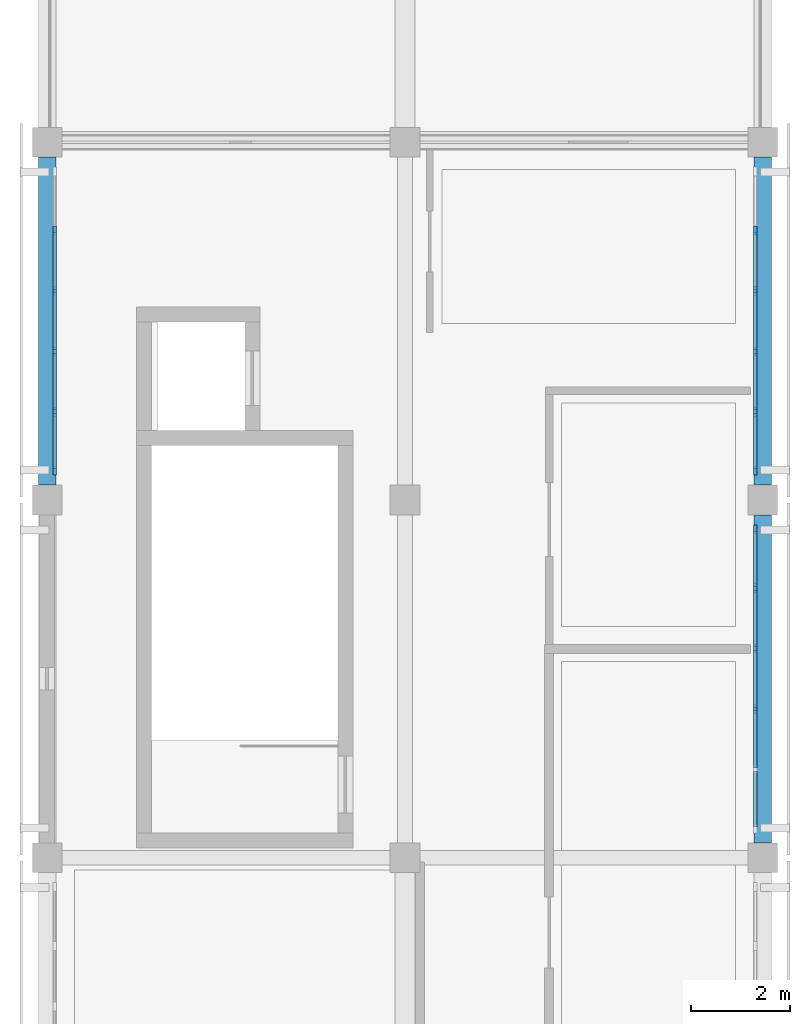
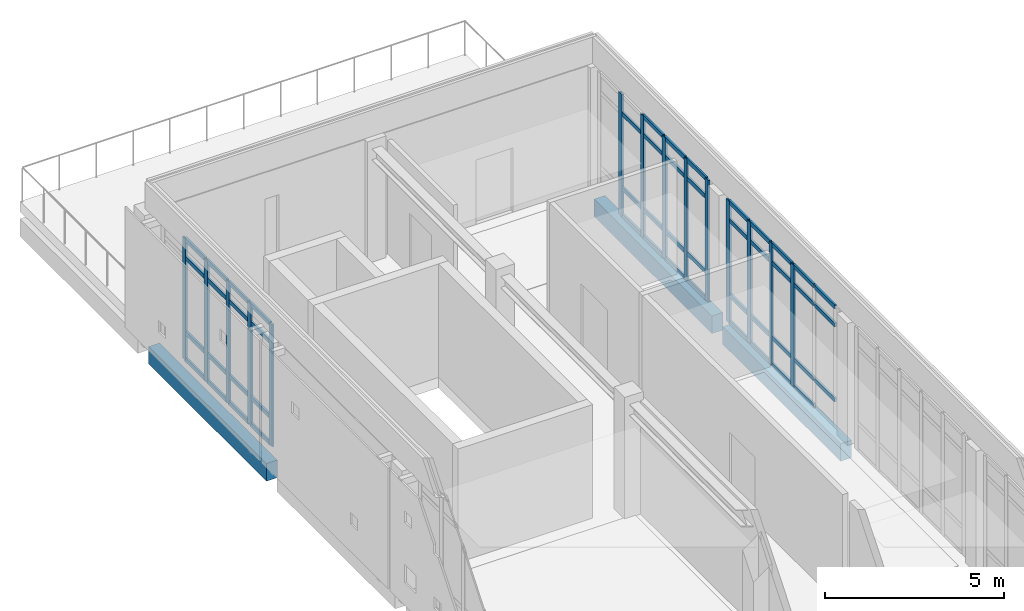
# One storey, part 8 of 19: 64 members, 3 beams, 3 elements without a shape of their own.
"""IFC4 building model written with IfcOpenShell, lengths in metres."""

import ifcopenshell
import ifcopenshell.guid

model = None  # the IFC model being written
_history = None  # IfcOwnerHistory: only IFC2X3 demands one
_inside = {}  # id of a spatial element -> (the spatial element, [elements in it])
_under = {}  # id of a project, library or spatial element -> (it, [spatial elements below it])
_declared = {}  # id of a project -> (the project, [libraries it declares])
_typed = {}  # id of a type object -> (the type object, [elements of that type])
_made_of = {}  # id of a material, layer set ... -> (it, [elements and type objects made of it])


def new_model(schema):
    """Start an empty IFC model of exactly this schema.

    Asked for "IFC4X3", IfcOpenShell would pick the latest addendum, in which some entities
    have other attributes; the version numbers below select the first issue.
    IFC2X3 requires an IfcOwnerHistory on every rooted entity: one is made here for all.
    """
    global model, _history
    if schema == "IFC4X3":
        model = ifcopenshell.file(schema_version=(4, 3, 0, 0))
    else:
        model = ifcopenshell.file(schema=schema)
    _inside.clear()
    _under.clear()
    _declared.clear()
    _typed.clear()
    _made_of.clear()
    _history = None
    if model.schema == "IFC2X3":
        org = make("IfcOrganization", Name="unknown")
        user = make(
            "IfcPersonAndOrganization",
            ThePerson=make("IfcPerson", FamilyName="unknown"),
            TheOrganization=org,
        )
        app = make(
            "IfcApplication",
            ApplicationDeveloper=org,
            Version="unknown",
            ApplicationFullName="unknown",
            ApplicationIdentifier="unknown",
        )
        _history = make(
            "IfcOwnerHistory",
            OwningUser=user,
            OwningApplication=app,
            ChangeAction="ADDED",
            CreationDate=0,
        )
    return model


def make(cls, **values):
    """One entity of the class cls with the attributes given. An attribute that is None is left unset."""
    return model.create_entity(
        cls, **{name: value for name, value in values.items() if value is not None}
    )


def rooted(cls, **values):
    """An entity with a GlobalId (a new one), such as an element, a storey or a relation."""
    return make(cls, GlobalId=ifcopenshell.guid.new(), OwnerHistory=_history, **values)


def si_unit(unit_type, name, prefix=None):
    """IfcSIUnit, for example si_unit("LENGTHUNIT", "METRE", prefix="MILLI")."""
    return make("IfcSIUnit", UnitType=unit_type, Prefix=prefix, Name=name)


def assignment(units):
    """IfcUnitAssignment: the units of a project."""
    return None if units is None else make("IfcUnitAssignment", Units=units)


def point(xyz):
    """IfcCartesianPoint."""
    return None if xyz is None else make("IfcCartesianPoint", Coordinates=xyz)


def direction(xyz):
    """IfcDirection."""
    return None if xyz is None else make("IfcDirection", DirectionRatios=xyz)


def frame(location, z_axis=None, x_axis=None):
    """IfcAxis2Placement3D, a coordinate frame: its origin and axes. An axis left out is left unset."""
    return make(
        "IfcAxis2Placement3D",
        Location=point(location),
        Axis=direction(z_axis),
        RefDirection=direction(x_axis),
    )


def frame_2d(location, x_axis=None):
    """IfcAxis2Placement2D, a coordinate frame in the plane: its origin and x axis."""
    return make(
        "IfcAxis2Placement2D", Location=point(location), RefDirection=direction(x_axis)
    )


def origin():
    """The frame at (0, 0, 0) with its axes left unset."""
    return frame((0.0, 0.0, 0.0))


def origin_2d():
    """The frame at (0, 0) in the plane with its x axis left unset."""
    return frame_2d((0.0, 0.0))


def place(relative_to, where):
    """IfcLocalPlacement: puts the frame where relative to a parent placement (None: the world)."""
    return make(
        "IfcLocalPlacement", PlacementRelTo=relative_to, RelativePlacement=where
    )


def context(
    kind, dimensions, precision=None, world=None, true_north=None, identifier=None
):
    """IfcGeometricRepresentationContext, for example the 3D "Model" context."""
    return make(
        "IfcGeometricRepresentationContext",
        ContextIdentifier=identifier,
        ContextType=kind,
        CoordinateSpaceDimension=dimensions,
        Precision=precision,
        WorldCoordinateSystem=world,
        TrueNorth=true_north,
    )


def subcontext(parent, identifier, kind, view, scale=None):
    """IfcGeometricRepresentationSubContext, for example "Body" below "Model"."""
    return make(
        "IfcGeometricRepresentationSubContext",
        ContextIdentifier=identifier,
        ContextType=kind,
        ParentContext=parent,
        TargetScale=scale,
        TargetView=view,
    )


def project(units=None, contexts=None):
    """IfcProject with its units and contexts."""
    return rooted(
        "IfcProject",
        Name="project",
        RepresentationContexts=contexts,
        UnitsInContext=assignment(units),
    )


def spatial(cls, under=None, at=None, **own):
    """A site, building, storey or space (cls), placed at a placement, below another one or the project."""
    s = rooted(cls, ObjectPlacement=at, **own)
    if under is not None:
        _under.setdefault(under.id(), (under, []))[1].append(s)
    return s


def profile(cls, at=None, kind="AREA", **sizes):
    """A parametric profile (cls). Its sizes go by their IFC names, for example OverallWidth=200.0."""
    return make(cls, ProfileType=kind, Position=at, **sizes)


def rectangle(**sizes):
    """IfcRectangleProfileDef."""
    return profile("IfcRectangleProfileDef", **sizes)


def extrude(swept, where, along, depth):
    """IfcExtrudedAreaSolid: the profile swept, set in the frame where, extruded along a direction by depth."""
    return make(
        "IfcExtrudedAreaSolid",
        SweptArea=swept,
        Position=where,
        ExtrudedDirection=direction(along),
        Depth=depth,
    )


def shape(context_of_items, identifier, shape_type, items):
    """IfcShapeRepresentation: the items that make up one representation, for example the "Body"."""
    return make(
        "IfcShapeRepresentation",
        ContextOfItems=context_of_items,
        RepresentationIdentifier=identifier,
        RepresentationType=shape_type,
        Items=items,
    )


def material(Name=None, Category=None):
    """IfcMaterial."""
    return make("IfcMaterial", Name=Name, Category=Category)


def layer(
    of_material, thickness, ventilated=None, Name=None, Category=None, Priority=None
):
    """IfcMaterialLayer: one layer of a wall or slab, of a material (None: an air gap)."""
    return make(
        "IfcMaterialLayer",
        Material=of_material,
        LayerThickness=thickness,
        IsVentilated=ventilated,
        Name=Name,
        Category=Category,
        Priority=Priority,
    )


def layer_set(layers, Name=None):
    """IfcMaterialLayerSet."""
    return make("IfcMaterialLayerSet", MaterialLayers=layers, LayerSetName=Name)


def material_profile(
    of_material, cross_section, Name=None, Category=None, Priority=None
):
    """IfcMaterialProfile: a cross section and its material."""
    return make(
        "IfcMaterialProfile",
        Name=Name,
        Material=of_material,
        Profile=cross_section,
        Priority=Priority,
        Category=Category,
    )


def profile_set(profiles, Name=None, composite=None):
    """IfcMaterialProfileSet."""
    return make(
        "IfcMaterialProfileSet",
        Name=Name,
        MaterialProfiles=profiles,
        CompositeProfile=composite,
    )


def made_of(thing, what):
    """Note that an element or type object is made of a material, layer set ...; save() writes the relation."""
    if what is not None:
        _made_of.setdefault(what.id(), (what, []))[1].append(thing)
    return thing


def type_object(cls, material=None, **own):
    """A type object (cls), such as IfcWallType, which elements share."""
    return made_of(rooted(cls, **own), material)


def element(
    cls,
    number,
    at=None,
    inside=None,
    cuts=None,
    type_object=None,
    material=None,
    context=None,
    identifier="Body",
    shape_type=None,
    held_by="IfcProductDefinitionShape",
    body=None,
    shapes=None,
    **own,
):
    """One element of the class cls, such as IfcWall. Its Tag is "e" and its number.

    at: its placement. inside: the storey or other place that contains it. cuts: it is an
    opening in that element (IfcRelVoidsElement). A single representation is given by context,
    identifier, shape_type and body (its items); several are given by shapes. held_by: the class
    of the entity that holds the representations. save() writes the other relations.
    """
    e = rooted(cls, Tag="e%d" % number, ObjectPlacement=at, **own)
    if body is not None:
        shapes = [shape(context, identifier, shape_type, body)]
    if shapes is not None:
        e.Representation = make(held_by, Representations=shapes)
    if inside is not None:
        _inside.setdefault(inside.id(), (inside, []))[1].append(e)
    if cuts is not None:
        rooted(
            "IfcRelVoidsElement", RelatingBuildingElement=cuts, RelatedOpeningElement=e
        )
    if type_object is not None:
        _typed.setdefault(type_object.id(), (type_object, []))[1].append(e)
    return made_of(e, material)


def aggregate(whole, parts):
    """IfcRelAggregates: a whole, such as a stair, and the parts it consists of."""
    return rooted("IfcRelAggregates", RelatingObject=whole, RelatedObjects=parts)


def save(model, path):
    """Write the relations noted so far, then the file.

    IfcRelAggregates (storeys below a building ...), IfcRelContainedInSpatialStructure (elements
    in a storey), IfcRelDefinesByType, IfcRelAssociatesMaterial and IfcRelDeclares: one each for
    every whole, place, type object, material and project.
    """
    for whole, parts in _under.values():
        aggregate(whole, parts)
    for where, things in _inside.values():
        rooted(
            "IfcRelContainedInSpatialStructure",
            RelatedElements=things,
            RelatingStructure=where,
        )
    for kind, things in _typed.values():
        rooted("IfcRelDefinesByType", RelatedObjects=things, RelatingType=kind)
    for what, things in _made_of.values():
        rooted("IfcRelAssociatesMaterial", RelatedObjects=things, RelatingMaterial=what)
    for by, libraries in _declared.values():
        rooted("IfcRelDeclares", RelatingContext=by, RelatedDefinitions=libraries)
    model.write(path)


model = new_model("IFC4")

# Units and contexts
model_context = context("Model", 3, precision=1e-05, world=origin(), true_north=direction((0.0, 1.0)))
body_context = subcontext(model_context, "Body", "Model", "MODEL_VIEW")
ifc_project = project(units=[si_unit("LENGTHUNIT", "METRE"), si_unit("AREAUNIT", "SQUARE_METRE"), si_unit("VOLUMEUNIT", "CUBIC_METRE"), si_unit("PLANEANGLEUNIT", "RADIAN"), si_unit("MASSUNIT", "GRAM", prefix="KILO")], contexts=[model_context])

# Site, building, storey
site_placement = place(None, origin())
site = spatial("IfcSite", under=ifc_project, at=site_placement, CompositionType="ELEMENT")
building_placement = place(site_placement, origin())
building = spatial("IfcBuilding", under=site, at=building_placement, Name="Valkovuoma Quantum and Materials Research Institute", CompositionType="ELEMENT")
storey_placement = place(building_placement, frame((0.0, 0.0, 38.080078125)))
storey = spatial("IfcBuildingStorey", under=building, at=storey_placement, Name="L09", CompositionType="ELEMENT", Elevation=38.080078125)

# Beams
ifc_material_1 = material(Name="Concrete C40/50", Category="concrete")
ifc_material_profile_1 = material_profile(ifc_material_1, rectangle(XDim=0.35009765625, YDim=0.60009765625, at=origin_2d()), Name="Concrete C40/50")
ifc_profile_set_1 = profile_set([ifc_material_profile_1], Name="Concrete C40/50")
beam_type = type_object("IfcBeamType", Name="Beam-B-SPN600", PredefinedType="SPANDREL", material=ifc_profile_set_1)
beam_1_placement = place(storey_placement, frame((0.0, 79.5, -0.650146484375), z_axis=(0.0, 1.0, 0.0), x_axis=(-1.0, 0.0, 0.0)))
element("IfcBeam", 1, at=beam_1_placement, inside=storey, type_object=beam_type, Name="L09 beam Y-2591", PredefinedType="SPANDREL", context=body_context, shape_type="SweptSolid", body=[
    extrude(rectangle(XDim=0.35009765625, YDim=0.60009765625, at=origin_2d()), origin(), (0.0, 0.0, 1.0), 6.60009765625),
])
beam_2_placement = place(storey_placement, frame((14.39990234375, 72.300048828125, -0.650146484375), z_axis=(0.0, 1.0, 0.0), x_axis=(-1.0, 0.0, 0.0)))
element("IfcBeam", 2, at=beam_2_placement, inside=storey, type_object=beam_type, Name="L09 beam Y-2598", PredefinedType="SPANDREL", context=body_context, shape_type="SweptSolid", body=[
    extrude(rectangle(XDim=0.35009765625, YDim=0.60009765625, at=origin_2d()), origin(), (0.0, 0.0, 1.0), 6.599853515625),
])
beam_3_placement = place(storey_placement, frame((14.39990234375, 79.5, -0.650146484375), z_axis=(0.0, 1.0, 0.0), x_axis=(-1.0, 0.0, 0.0)))
element("IfcBeam", 3, at=beam_3_placement, inside=storey, type_object=beam_type, Name="L09 beam Y-2599", PredefinedType="SPANDREL", context=body_context, shape_type="SweptSolid", body=[
    extrude(rectangle(XDim=0.35009765625, YDim=0.60009765625, at=origin_2d()), origin(), (0.0, 0.0, 1.0), 6.60009765625),
])

# Curtain wall, members
ifc_material_2 = material(Name="Thermally broken aluminium and triple low-E glazing", Category="aluminium")
ifc_layer = layer(ifc_material_2, 0.219970703125)
ifc_layer_set = layer_set([ifc_layer], Name="Thermally broken aluminium and triple low-E glazing")
curtain_wall_type = type_object("IfcCurtainWallType", Name="CW-CW-01", PredefinedType="NOTDEFINED", material=ifc_layer_set)
curtain_wall_1_placement = place(storey_placement, origin())
curtain_wall_1 = element("IfcCurtainWall", 4, at=curtain_wall_1_placement, inside=storey, type_object=curtain_wall_type, Name="L09 curtain wall 140", PredefinedType="NOTDEFINED")
ifc_material_3 = material(Name="Anodised aluminium 6060-T66", Category="aluminium")
ifc_material_profile_2 = material_profile(ifc_material_3, rectangle(XDim=0.06494140625, YDim=0.179931640625, at=origin_2d()), Name="Anodised aluminium 6060-T66")
ifc_profile_set_2 = profile_set([ifc_material_profile_2], Name="Anodised aluminium 6060-T66")
member_type_1 = type_object("IfcMemberType", Name="CWMull-CWM-01", PredefinedType="MULLION", material=ifc_profile_set_2)
member_1_placement = place(storey_placement, frame((14.25, 74.991455078125, 0.0), z_axis=(0.0, 0.0, 1.0), x_axis=(-1.0, 0.0, 0.0)))
member_1 = element("IfcMember", 5, at=member_1_placement, type_object=member_type_1, Name="CW-01 mullion 3", PredefinedType="MULLION", context=body_context, shape_type="SweptSolid", body=[
    extrude(rectangle(XDim=0.06494140625, YDim=0.179931640625, at=origin_2d()), origin(), (0.0, 0.0, 1.0), 4.159912109375),
])
member_2_placement = place(storey_placement, frame((14.25, 76.20849609375, 0.0), z_axis=(0.0, 0.0, 1.0), x_axis=(-1.0, 0.0, 0.0)))
member_2 = element("IfcMember", 6, at=member_2_placement, type_object=member_type_1, Name="CW-01 mullion 4", PredefinedType="MULLION", context=body_context, shape_type="SweptSolid", body=[
    extrude(rectangle(XDim=0.06494140625, YDim=0.179931640625, at=origin_2d()), origin(), (0.0, 0.0, 1.0), 4.159912109375),
])
member_3_placement = place(storey_placement, frame((14.25, 77.42578125, 0.0), z_axis=(0.0, 0.0, 1.0), x_axis=(-1.0, 0.0, 0.0)))
member_3 = element("IfcMember", 7, at=member_3_placement, type_object=member_type_1, Name="CW-01 mullion 5", PredefinedType="MULLION", context=body_context, shape_type="SweptSolid", body=[
    extrude(rectangle(XDim=0.06494140625, YDim=0.179931640625, at=origin_2d()), origin(), (0.0, 0.0, 1.0), 4.159912109375),
])
member_4_placement = place(storey_placement, frame((14.25, 78.6103515625, 0.0), z_axis=(0.0, 0.0, 1.0), x_axis=(-1.0, 0.0, 0.0)))
member_4 = element("IfcMember", 8, at=member_4_placement, type_object=member_type_1, Name="CW-01 mullion 6", PredefinedType="MULLION", context=body_context, shape_type="SweptSolid", body=[
    extrude(rectangle(XDim=0.06494140625, YDim=0.179931640625, at=origin_2d()), origin(), (0.0, 0.0, 1.0), 4.159912109375),
])

curtain_wall_2_placement = place(storey_placement, origin())
curtain_wall_2 = element("IfcCurtainWall", 9, at=curtain_wall_2_placement, inside=storey, type_object=curtain_wall_type, Name="L09 curtain wall 141", PredefinedType="NOTDEFINED")
member_5_placement = place(storey_placement, frame((0.14990234375, 79.78955078125, 0.0), z_axis=(0.0, 0.0, 1.0), x_axis=(-1.0, 0.0, 0.0)))
member_5 = element("IfcMember", 10, at=member_5_placement, type_object=member_type_1, Name="CW-01 mullion 1", PredefinedType="MULLION", context=body_context, shape_type="SweptSolid", body=[
    extrude(rectangle(XDim=0.06494140625, YDim=0.179931640625, at=origin_2d()), origin(), (0.0, 0.0, 1.0), 4.159912109375),
])
member_6_placement = place(storey_placement, frame((0.14990234375, 80.974365234375, 0.0), z_axis=(0.0, 0.0, 1.0), x_axis=(-1.0, 0.0, 0.0)))
member_6 = element("IfcMember", 11, at=member_6_placement, type_object=member_type_1, Name="CW-01 mullion 2", PredefinedType="MULLION", context=body_context, shape_type="SweptSolid", body=[
    extrude(rectangle(XDim=0.06494140625, YDim=0.179931640625, at=origin_2d()), origin(), (0.0, 0.0, 1.0), 4.159912109375),
])
member_7_placement = place(storey_placement, frame((0.14990234375, 82.19140625, 0.0), z_axis=(0.0, 0.0, 1.0), x_axis=(-1.0, 0.0, 0.0)))
member_7 = element("IfcMember", 12, at=member_7_placement, type_object=member_type_1, Name="CW-01 mullion 3", PredefinedType="MULLION", context=body_context, shape_type="SweptSolid", body=[
    extrude(rectangle(XDim=0.06494140625, YDim=0.179931640625, at=origin_2d()), origin(), (0.0, 0.0, 1.0), 4.159912109375),
])
member_8_placement = place(storey_placement, frame((0.14990234375, 83.40869140625, 0.0), z_axis=(0.0, 0.0, 1.0), x_axis=(-1.0, 0.0, 0.0)))
member_8 = element("IfcMember", 13, at=member_8_placement, type_object=member_type_1, Name="CW-01 mullion 4", PredefinedType="MULLION", context=body_context, shape_type="SweptSolid", body=[
    extrude(rectangle(XDim=0.06494140625, YDim=0.179931640625, at=origin_2d()), origin(), (0.0, 0.0, 1.0), 4.159912109375),
])
member_9_placement = place(storey_placement, frame((0.14990234375, 84.625732421875, 0.0), z_axis=(0.0, 0.0, 1.0), x_axis=(-1.0, 0.0, 0.0)))
member_9 = element("IfcMember", 14, at=member_9_placement, type_object=member_type_1, Name="CW-01 mullion 5", PredefinedType="MULLION", context=body_context, shape_type="SweptSolid", body=[
    extrude(rectangle(XDim=0.06494140625, YDim=0.179931640625, at=origin_2d()), origin(), (0.0, 0.0, 1.0), 4.159912109375),
])

curtain_wall_3_placement = place(storey_placement, origin())
curtain_wall_3 = element("IfcCurtainWall", 15, at=curtain_wall_3_placement, inside=storey, type_object=curtain_wall_type, Name="L09 curtain wall 142", PredefinedType="NOTDEFINED")
member_10_placement = place(storey_placement, frame((14.25, 79.78955078125, 0.0), z_axis=(0.0, 0.0, 1.0), x_axis=(-1.0, 0.0, 0.0)))
member_10 = element("IfcMember", 16, at=member_10_placement, type_object=member_type_1, Name="CW-01 mullion 1", PredefinedType="MULLION", context=body_context, shape_type="SweptSolid", body=[
    extrude(rectangle(XDim=0.06494140625, YDim=0.179931640625, at=origin_2d()), origin(), (0.0, 0.0, 1.0), 4.159912109375),
])
member_11_placement = place(storey_placement, frame((14.25, 80.974365234375, 0.0), z_axis=(0.0, 0.0, 1.0), x_axis=(-1.0, 0.0, 0.0)))
member_11 = element("IfcMember", 17, at=member_11_placement, type_object=member_type_1, Name="CW-01 mullion 2", PredefinedType="MULLION", context=body_context, shape_type="SweptSolid", body=[
    extrude(rectangle(XDim=0.06494140625, YDim=0.179931640625, at=origin_2d()), origin(), (0.0, 0.0, 1.0), 4.159912109375),
])
member_12_placement = place(storey_placement, frame((14.25, 82.19140625, 0.0), z_axis=(0.0, 0.0, 1.0), x_axis=(-1.0, 0.0, 0.0)))
member_12 = element("IfcMember", 18, at=member_12_placement, type_object=member_type_1, Name="CW-01 mullion 3", PredefinedType="MULLION", context=body_context, shape_type="SweptSolid", body=[
    extrude(rectangle(XDim=0.06494140625, YDim=0.179931640625, at=origin_2d()), origin(), (0.0, 0.0, 1.0), 4.159912109375),
])
member_13_placement = place(storey_placement, frame((14.25, 83.40869140625, 0.0), z_axis=(0.0, 0.0, 1.0), x_axis=(-1.0, 0.0, 0.0)))
member_13 = element("IfcMember", 19, at=member_13_placement, type_object=member_type_1, Name="CW-01 mullion 4", PredefinedType="MULLION", context=body_context, shape_type="SweptSolid", body=[
    extrude(rectangle(XDim=0.06494140625, YDim=0.179931640625, at=origin_2d()), origin(), (0.0, 0.0, 1.0), 4.159912109375),
])
member_14_placement = place(storey_placement, frame((14.25, 84.625732421875, 0.0), z_axis=(0.0, 0.0, 1.0), x_axis=(-1.0, 0.0, 0.0)))
member_14 = element("IfcMember", 20, at=member_14_placement, type_object=member_type_1, Name="CW-01 mullion 5", PredefinedType="MULLION", context=body_context, shape_type="SweptSolid", body=[
    extrude(rectangle(XDim=0.06494140625, YDim=0.179931640625, at=origin_2d()), origin(), (0.0, 0.0, 1.0), 4.159912109375),
])

# Member
ifc_material_4 = material(Name="Anodised aluminium 6060-T66", Category="aluminium")
ifc_material_profile_3 = material_profile(ifc_material_4, rectangle(XDim=0.06494140625, YDim=0.139892578125, at=origin_2d()), Name="Anodised aluminium 6060-T66")
ifc_profile_set_3 = profile_set([ifc_material_profile_3], Name="Anodised aluminium 6060-T66")
member_type_2 = type_object("IfcMemberType", Name="CWTran-CWT-01", PredefinedType="USERDEFINED", material=ifc_profile_set_3)
member_15_placement = place(storey_placement, frame((14.25, 72.6220703125, 0.949951171875), z_axis=(0.0, 1.0, 0.0), x_axis=(-1.0, 0.0, 0.0)))
member_15 = element("IfcMember", 21, at=member_15_placement, type_object=member_type_2, Name="CW-01 transom 1.2", ObjectType="TRANSOM", PredefinedType="USERDEFINED", context=body_context, shape_type="SweptSolid", body=[
    extrude(rectangle(XDim=0.06494140625, YDim=0.139892578125, at=origin_2d()), origin(), (0.0, 0.0, 1.0), 1.11962890625),
])

member_16_placement = place(storey_placement, frame((14.25, 72.6220703125, 3.510009765625), z_axis=(0.0, 1.0, 0.0), x_axis=(-1.0, 0.0, 0.0)))
member_16 = element("IfcMember", 22, at=member_16_placement, type_object=member_type_2, Name="CW-01 transom 1.3", ObjectType="TRANSOM", PredefinedType="USERDEFINED", context=body_context, shape_type="SweptSolid", body=[
    extrude(rectangle(XDim=0.06494140625, YDim=0.139892578125, at=origin_2d()), origin(), (0.0, 0.0, 1.0), 1.11962890625),
])

member_17_placement = place(storey_placement, frame((14.25, 72.6220703125, 4.12744140625), z_axis=(0.0, 1.0, 0.0), x_axis=(-1.0, 0.0, 0.0)))
member_17 = element("IfcMember", 23, at=member_17_placement, type_object=member_type_2, Name="CW-01 transom 1.4", ObjectType="TRANSOM", PredefinedType="USERDEFINED", context=body_context, shape_type="SweptSolid", body=[
    extrude(rectangle(XDim=0.06494140625, YDim=0.139892578125, at=origin_2d()), origin(), (0.0, 0.0, 1.0), 1.11962890625),
])

member_18_placement = place(storey_placement, frame((14.25, 73.806640625, 0.032470703125), z_axis=(0.0, 1.0, 0.0), x_axis=(-1.0, 0.0, 0.0)))
member_18 = element("IfcMember", 24, at=member_18_placement, type_object=member_type_2, Name="CW-01 transom 2.1", ObjectType="TRANSOM", PredefinedType="USERDEFINED", context=body_context, shape_type="SweptSolid", body=[
    extrude(rectangle(XDim=0.06494140625, YDim=0.139892578125, at=origin_2d()), origin(), (0.0, 0.0, 1.0), 1.15234375),
])

member_19_placement = place(storey_placement, frame((14.25, 73.806640625, 0.949951171875), z_axis=(0.0, 1.0, 0.0), x_axis=(-1.0, 0.0, 0.0)))
member_19 = element("IfcMember", 25, at=member_19_placement, type_object=member_type_2, Name="CW-01 transom 2.2", ObjectType="TRANSOM", PredefinedType="USERDEFINED", context=body_context, shape_type="SweptSolid", body=[
    extrude(rectangle(XDim=0.06494140625, YDim=0.139892578125, at=origin_2d()), origin(), (0.0, 0.0, 1.0), 1.15234375),
])

member_20_placement = place(storey_placement, frame((14.25, 73.806640625, 3.510009765625), z_axis=(0.0, 1.0, 0.0), x_axis=(-1.0, 0.0, 0.0)))
member_20 = element("IfcMember", 26, at=member_20_placement, type_object=member_type_2, Name="CW-01 transom 2.3", ObjectType="TRANSOM", PredefinedType="USERDEFINED", context=body_context, shape_type="SweptSolid", body=[
    extrude(rectangle(XDim=0.06494140625, YDim=0.139892578125, at=origin_2d()), origin(), (0.0, 0.0, 1.0), 1.15234375),
])

member_21_placement = place(storey_placement, frame((14.25, 73.806640625, 4.12744140625), z_axis=(0.0, 1.0, 0.0), x_axis=(-1.0, 0.0, 0.0)))
member_21 = element("IfcMember", 27, at=member_21_placement, type_object=member_type_2, Name="CW-01 transom 2.4", ObjectType="TRANSOM", PredefinedType="USERDEFINED", context=body_context, shape_type="SweptSolid", body=[
    extrude(rectangle(XDim=0.06494140625, YDim=0.139892578125, at=origin_2d()), origin(), (0.0, 0.0, 1.0), 1.15234375),
])

member_22_placement = place(storey_placement, frame((14.25, 75.02392578125, 0.032470703125), z_axis=(0.0, 1.0, 0.0), x_axis=(-1.0, 0.0, 0.0)))
member_22 = element("IfcMember", 28, at=member_22_placement, type_object=member_type_2, Name="CW-01 transom 3.1", ObjectType="TRANSOM", PredefinedType="USERDEFINED", context=body_context, shape_type="SweptSolid", body=[
    extrude(rectangle(XDim=0.06494140625, YDim=0.139892578125, at=origin_2d()), origin(), (0.0, 0.0, 1.0), 1.152099609375),
])

member_23_placement = place(storey_placement, frame((14.25, 75.02392578125, 0.949951171875), z_axis=(0.0, 1.0, 0.0), x_axis=(-1.0, 0.0, 0.0)))
member_23 = element("IfcMember", 29, at=member_23_placement, type_object=member_type_2, Name="CW-01 transom 3.2", ObjectType="TRANSOM", PredefinedType="USERDEFINED", context=body_context, shape_type="SweptSolid", body=[
    extrude(rectangle(XDim=0.06494140625, YDim=0.139892578125, at=origin_2d()), origin(), (0.0, 0.0, 1.0), 1.152099609375),
])

member_24_placement = place(storey_placement, frame((14.25, 75.02392578125, 3.510009765625), z_axis=(0.0, 1.0, 0.0), x_axis=(-1.0, 0.0, 0.0)))
member_24 = element("IfcMember", 30, at=member_24_placement, type_object=member_type_2, Name="CW-01 transom 3.3", ObjectType="TRANSOM", PredefinedType="USERDEFINED", context=body_context, shape_type="SweptSolid", body=[
    extrude(rectangle(XDim=0.06494140625, YDim=0.139892578125, at=origin_2d()), origin(), (0.0, 0.0, 1.0), 1.152099609375),
])

member_25_placement = place(storey_placement, frame((14.25, 75.02392578125, 4.12744140625), z_axis=(0.0, 1.0, 0.0), x_axis=(-1.0, 0.0, 0.0)))
member_25 = element("IfcMember", 31, at=member_25_placement, type_object=member_type_2, Name="CW-01 transom 3.4", ObjectType="TRANSOM", PredefinedType="USERDEFINED", context=body_context, shape_type="SweptSolid", body=[
    extrude(rectangle(XDim=0.06494140625, YDim=0.139892578125, at=origin_2d()), origin(), (0.0, 0.0, 1.0), 1.152099609375),
])

member_26_placement = place(storey_placement, frame((14.25, 76.240966796875, 0.032470703125), z_axis=(0.0, 1.0, 0.0), x_axis=(-1.0, 0.0, 0.0)))
member_26 = element("IfcMember", 32, at=member_26_placement, type_object=member_type_2, Name="CW-01 transom 4.1", ObjectType="TRANSOM", PredefinedType="USERDEFINED", context=body_context, shape_type="SweptSolid", body=[
    extrude(rectangle(XDim=0.06494140625, YDim=0.139892578125, at=origin_2d()), origin(), (0.0, 0.0, 1.0), 1.15234375),
])

member_27_placement = place(storey_placement, frame((14.25, 76.240966796875, 0.949951171875), z_axis=(0.0, 1.0, 0.0), x_axis=(-1.0, 0.0, 0.0)))
member_27 = element("IfcMember", 33, at=member_27_placement, type_object=member_type_2, Name="CW-01 transom 4.2", ObjectType="TRANSOM", PredefinedType="USERDEFINED", context=body_context, shape_type="SweptSolid", body=[
    extrude(rectangle(XDim=0.06494140625, YDim=0.139892578125, at=origin_2d()), origin(), (0.0, 0.0, 1.0), 1.15234375),
])

member_28_placement = place(storey_placement, frame((14.25, 76.240966796875, 3.510009765625), z_axis=(0.0, 1.0, 0.0), x_axis=(-1.0, 0.0, 0.0)))
member_28 = element("IfcMember", 34, at=member_28_placement, type_object=member_type_2, Name="CW-01 transom 4.3", ObjectType="TRANSOM", PredefinedType="USERDEFINED", context=body_context, shape_type="SweptSolid", body=[
    extrude(rectangle(XDim=0.06494140625, YDim=0.139892578125, at=origin_2d()), origin(), (0.0, 0.0, 1.0), 1.15234375),
])

member_29_placement = place(storey_placement, frame((14.25, 76.240966796875, 4.12744140625), z_axis=(0.0, 1.0, 0.0), x_axis=(-1.0, 0.0, 0.0)))
member_29 = element("IfcMember", 35, at=member_29_placement, type_object=member_type_2, Name="CW-01 transom 4.4", ObjectType="TRANSOM", PredefinedType="USERDEFINED", context=body_context, shape_type="SweptSolid", body=[
    extrude(rectangle(XDim=0.06494140625, YDim=0.139892578125, at=origin_2d()), origin(), (0.0, 0.0, 1.0), 1.15234375),
])

member_30_placement = place(storey_placement, frame((14.25, 77.458251953125, 0.032470703125), z_axis=(0.0, 1.0, 0.0), x_axis=(-1.0, 0.0, 0.0)))
member_30 = element("IfcMember", 36, at=member_30_placement, type_object=member_type_2, Name="CW-01 transom 5.1", ObjectType="TRANSOM", PredefinedType="USERDEFINED", context=body_context, shape_type="SweptSolid", body=[
    extrude(rectangle(XDim=0.06494140625, YDim=0.139892578125, at=origin_2d()), origin(), (0.0, 0.0, 1.0), 1.11962890625),
])

member_31_placement = place(storey_placement, frame((14.25, 77.458251953125, 0.949951171875), z_axis=(0.0, 1.0, 0.0), x_axis=(-1.0, 0.0, 0.0)))
member_31 = element("IfcMember", 37, at=member_31_placement, type_object=member_type_2, Name="CW-01 transom 5.2", ObjectType="TRANSOM", PredefinedType="USERDEFINED", context=body_context, shape_type="SweptSolid", body=[
    extrude(rectangle(XDim=0.06494140625, YDim=0.139892578125, at=origin_2d()), origin(), (0.0, 0.0, 1.0), 1.11962890625),
])

member_32_placement = place(storey_placement, frame((14.25, 77.458251953125, 3.510009765625), z_axis=(0.0, 1.0, 0.0), x_axis=(-1.0, 0.0, 0.0)))
member_32 = element("IfcMember", 38, at=member_32_placement, type_object=member_type_2, Name="CW-01 transom 5.3", ObjectType="TRANSOM", PredefinedType="USERDEFINED", context=body_context, shape_type="SweptSolid", body=[
    extrude(rectangle(XDim=0.06494140625, YDim=0.139892578125, at=origin_2d()), origin(), (0.0, 0.0, 1.0), 1.11962890625),
])

member_33_placement = place(storey_placement, frame((14.25, 77.458251953125, 4.12744140625), z_axis=(0.0, 1.0, 0.0), x_axis=(-1.0, 0.0, 0.0)))
member_33 = element("IfcMember", 39, at=member_33_placement, type_object=member_type_2, Name="CW-01 transom 5.4", ObjectType="TRANSOM", PredefinedType="USERDEFINED", context=body_context, shape_type="SweptSolid", body=[
    extrude(rectangle(XDim=0.06494140625, YDim=0.139892578125, at=origin_2d()), origin(), (0.0, 0.0, 1.0), 1.11962890625),
])

aggregate(curtain_wall_1, [member_1, member_2, member_3, member_4, member_15, member_16, member_17, member_18, member_19, member_20, member_21, member_22, member_23, member_24, member_25, member_26, member_27, member_28, member_29, member_30, member_31, member_32, member_33])

member_34_placement = place(storey_placement, frame((0.14990234375, 79.822021484375, 0.032470703125), z_axis=(0.0, 1.0, 0.0), x_axis=(-1.0, 0.0, 0.0)))
member_34 = element("IfcMember", 40, at=member_34_placement, type_object=member_type_2, Name="CW-01 transom 1.1", ObjectType="TRANSOM", PredefinedType="USERDEFINED", context=body_context, shape_type="SweptSolid", body=[
    extrude(rectangle(XDim=0.06494140625, YDim=0.139892578125, at=origin_2d()), origin(), (0.0, 0.0, 1.0), 1.11962890625),
])

member_35_placement = place(storey_placement, frame((0.14990234375, 79.822021484375, 0.949951171875), z_axis=(0.0, 1.0, 0.0), x_axis=(-1.0, 0.0, 0.0)))
member_35 = element("IfcMember", 41, at=member_35_placement, type_object=member_type_2, Name="CW-01 transom 1.2", ObjectType="TRANSOM", PredefinedType="USERDEFINED", context=body_context, shape_type="SweptSolid", body=[
    extrude(rectangle(XDim=0.06494140625, YDim=0.139892578125, at=origin_2d()), origin(), (0.0, 0.0, 1.0), 1.11962890625),
])

member_36_placement = place(storey_placement, frame((0.14990234375, 79.822021484375, 3.510009765625), z_axis=(0.0, 1.0, 0.0), x_axis=(-1.0, 0.0, 0.0)))
member_36 = element("IfcMember", 42, at=member_36_placement, type_object=member_type_2, Name="CW-01 transom 1.3", ObjectType="TRANSOM", PredefinedType="USERDEFINED", context=body_context, shape_type="SweptSolid", body=[
    extrude(rectangle(XDim=0.06494140625, YDim=0.139892578125, at=origin_2d()), origin(), (0.0, 0.0, 1.0), 1.11962890625),
])

member_37_placement = place(storey_placement, frame((0.14990234375, 79.822021484375, 4.12744140625), z_axis=(0.0, 1.0, 0.0), x_axis=(-1.0, 0.0, 0.0)))
member_37 = element("IfcMember", 43, at=member_37_placement, type_object=member_type_2, Name="CW-01 transom 1.4", ObjectType="TRANSOM", PredefinedType="USERDEFINED", context=body_context, shape_type="SweptSolid", body=[
    extrude(rectangle(XDim=0.06494140625, YDim=0.139892578125, at=origin_2d()), origin(), (0.0, 0.0, 1.0), 1.11962890625),
])

member_38_placement = place(storey_placement, frame((0.14990234375, 81.0068359375, 0.032470703125), z_axis=(0.0, 1.0, 0.0), x_axis=(-1.0, 0.0, 0.0)))
member_38 = element("IfcMember", 44, at=member_38_placement, type_object=member_type_2, Name="CW-01 transom 2.1", ObjectType="TRANSOM", PredefinedType="USERDEFINED", context=body_context, shape_type="SweptSolid", body=[
    extrude(rectangle(XDim=0.06494140625, YDim=0.139892578125, at=origin_2d()), origin(), (0.0, 0.0, 1.0), 1.152099609375),
])

member_39_placement = place(storey_placement, frame((0.14990234375, 81.0068359375, 0.949951171875), z_axis=(0.0, 1.0, 0.0), x_axis=(-1.0, 0.0, 0.0)))
member_39 = element("IfcMember", 45, at=member_39_placement, type_object=member_type_2, Name="CW-01 transom 2.2", ObjectType="TRANSOM", PredefinedType="USERDEFINED", context=body_context, shape_type="SweptSolid", body=[
    extrude(rectangle(XDim=0.06494140625, YDim=0.139892578125, at=origin_2d()), origin(), (0.0, 0.0, 1.0), 1.152099609375),
])

member_40_placement = place(storey_placement, frame((0.14990234375, 81.0068359375, 3.510009765625), z_axis=(0.0, 1.0, 0.0), x_axis=(-1.0, 0.0, 0.0)))
member_40 = element("IfcMember", 46, at=member_40_placement, type_object=member_type_2, Name="CW-01 transom 2.3", ObjectType="TRANSOM", PredefinedType="USERDEFINED", context=body_context, shape_type="SweptSolid", body=[
    extrude(rectangle(XDim=0.06494140625, YDim=0.139892578125, at=origin_2d()), origin(), (0.0, 0.0, 1.0), 1.152099609375),
])

member_41_placement = place(storey_placement, frame((0.14990234375, 81.0068359375, 4.12744140625), z_axis=(0.0, 1.0, 0.0), x_axis=(-1.0, 0.0, 0.0)))
member_41 = element("IfcMember", 47, at=member_41_placement, type_object=member_type_2, Name="CW-01 transom 2.4", ObjectType="TRANSOM", PredefinedType="USERDEFINED", context=body_context, shape_type="SweptSolid", body=[
    extrude(rectangle(XDim=0.06494140625, YDim=0.139892578125, at=origin_2d()), origin(), (0.0, 0.0, 1.0), 1.152099609375),
])

member_42_placement = place(storey_placement, frame((0.14990234375, 82.223876953125, 0.032470703125), z_axis=(0.0, 1.0, 0.0), x_axis=(-1.0, 0.0, 0.0)))
member_42 = element("IfcMember", 48, at=member_42_placement, type_object=member_type_2, Name="CW-01 transom 3.1", ObjectType="TRANSOM", PredefinedType="USERDEFINED", context=body_context, shape_type="SweptSolid", body=[
    extrude(rectangle(XDim=0.06494140625, YDim=0.139892578125, at=origin_2d()), origin(), (0.0, 0.0, 1.0), 1.152099609375),
])

member_43_placement = place(storey_placement, frame((0.14990234375, 82.223876953125, 0.949951171875), z_axis=(0.0, 1.0, 0.0), x_axis=(-1.0, 0.0, 0.0)))
member_43 = element("IfcMember", 49, at=member_43_placement, type_object=member_type_2, Name="CW-01 transom 3.2", ObjectType="TRANSOM", PredefinedType="USERDEFINED", context=body_context, shape_type="SweptSolid", body=[
    extrude(rectangle(XDim=0.06494140625, YDim=0.139892578125, at=origin_2d()), origin(), (0.0, 0.0, 1.0), 1.152099609375),
])

member_44_placement = place(storey_placement, frame((0.14990234375, 82.223876953125, 3.510009765625), z_axis=(0.0, 1.0, 0.0), x_axis=(-1.0, 0.0, 0.0)))
member_44 = element("IfcMember", 50, at=member_44_placement, type_object=member_type_2, Name="CW-01 transom 3.3", ObjectType="TRANSOM", PredefinedType="USERDEFINED", context=body_context, shape_type="SweptSolid", body=[
    extrude(rectangle(XDim=0.06494140625, YDim=0.139892578125, at=origin_2d()), origin(), (0.0, 0.0, 1.0), 1.152099609375),
])

member_45_placement = place(storey_placement, frame((0.14990234375, 82.223876953125, 4.12744140625), z_axis=(0.0, 1.0, 0.0), x_axis=(-1.0, 0.0, 0.0)))
member_45 = element("IfcMember", 51, at=member_45_placement, type_object=member_type_2, Name="CW-01 transom 3.4", ObjectType="TRANSOM", PredefinedType="USERDEFINED", context=body_context, shape_type="SweptSolid", body=[
    extrude(rectangle(XDim=0.06494140625, YDim=0.139892578125, at=origin_2d()), origin(), (0.0, 0.0, 1.0), 1.152099609375),
])

member_46_placement = place(storey_placement, frame((0.14990234375, 83.441162109375, 0.032470703125), z_axis=(0.0, 1.0, 0.0), x_axis=(-1.0, 0.0, 0.0)))
member_46 = element("IfcMember", 52, at=member_46_placement, type_object=member_type_2, Name="CW-01 transom 4.1", ObjectType="TRANSOM", PredefinedType="USERDEFINED", context=body_context, shape_type="SweptSolid", body=[
    extrude(rectangle(XDim=0.06494140625, YDim=0.139892578125, at=origin_2d()), origin(), (0.0, 0.0, 1.0), 1.152099609375),
])

member_47_placement = place(storey_placement, frame((0.14990234375, 83.441162109375, 0.949951171875), z_axis=(0.0, 1.0, 0.0), x_axis=(-1.0, 0.0, 0.0)))
member_47 = element("IfcMember", 53, at=member_47_placement, type_object=member_type_2, Name="CW-01 transom 4.2", ObjectType="TRANSOM", PredefinedType="USERDEFINED", context=body_context, shape_type="SweptSolid", body=[
    extrude(rectangle(XDim=0.06494140625, YDim=0.139892578125, at=origin_2d()), origin(), (0.0, 0.0, 1.0), 1.152099609375),
])

member_48_placement = place(storey_placement, frame((0.14990234375, 83.441162109375, 3.510009765625), z_axis=(0.0, 1.0, 0.0), x_axis=(-1.0, 0.0, 0.0)))
member_48 = element("IfcMember", 54, at=member_48_placement, type_object=member_type_2, Name="CW-01 transom 4.3", ObjectType="TRANSOM", PredefinedType="USERDEFINED", context=body_context, shape_type="SweptSolid", body=[
    extrude(rectangle(XDim=0.06494140625, YDim=0.139892578125, at=origin_2d()), origin(), (0.0, 0.0, 1.0), 1.152099609375),
])

member_49_placement = place(storey_placement, frame((0.14990234375, 83.441162109375, 4.12744140625), z_axis=(0.0, 1.0, 0.0), x_axis=(-1.0, 0.0, 0.0)))
member_49 = element("IfcMember", 55, at=member_49_placement, type_object=member_type_2, Name="CW-01 transom 4.4", ObjectType="TRANSOM", PredefinedType="USERDEFINED", context=body_context, shape_type="SweptSolid", body=[
    extrude(rectangle(XDim=0.06494140625, YDim=0.139892578125, at=origin_2d()), origin(), (0.0, 0.0, 1.0), 1.152099609375),
])

aggregate(curtain_wall_2, [member_5, member_6, member_7, member_8, member_9, member_34, member_35, member_36, member_37, member_38, member_39, member_40, member_41, member_42, member_43, member_44, member_45, member_46, member_47, member_48, member_49])

member_50_placement = place(storey_placement, frame((14.25, 79.822021484375, 0.032470703125), z_axis=(0.0, 1.0, 0.0), x_axis=(-1.0, 0.0, 0.0)))
member_50 = element("IfcMember", 56, at=member_50_placement, type_object=member_type_2, Name="CW-01 transom 1.1", ObjectType="TRANSOM", PredefinedType="USERDEFINED", context=body_context, shape_type="SweptSolid", body=[
    extrude(rectangle(XDim=0.06494140625, YDim=0.139892578125, at=origin_2d()), origin(), (0.0, 0.0, 1.0), 1.11962890625),
])

member_51_placement = place(storey_placement, frame((14.25, 79.822021484375, 0.949951171875), z_axis=(0.0, 1.0, 0.0), x_axis=(-1.0, 0.0, 0.0)))
member_51 = element("IfcMember", 57, at=member_51_placement, type_object=member_type_2, Name="CW-01 transom 1.2", ObjectType="TRANSOM", PredefinedType="USERDEFINED", context=body_context, shape_type="SweptSolid", body=[
    extrude(rectangle(XDim=0.06494140625, YDim=0.139892578125, at=origin_2d()), origin(), (0.0, 0.0, 1.0), 1.11962890625),
])

member_52_placement = place(storey_placement, frame((14.25, 79.822021484375, 3.510009765625), z_axis=(0.0, 1.0, 0.0), x_axis=(-1.0, 0.0, 0.0)))
member_52 = element("IfcMember", 58, at=member_52_placement, type_object=member_type_2, Name="CW-01 transom 1.3", ObjectType="TRANSOM", PredefinedType="USERDEFINED", context=body_context, shape_type="SweptSolid", body=[
    extrude(rectangle(XDim=0.06494140625, YDim=0.139892578125, at=origin_2d()), origin(), (0.0, 0.0, 1.0), 1.11962890625),
])

member_53_placement = place(storey_placement, frame((14.25, 79.822021484375, 4.12744140625), z_axis=(0.0, 1.0, 0.0), x_axis=(-1.0, 0.0, 0.0)))
member_53 = element("IfcMember", 59, at=member_53_placement, type_object=member_type_2, Name="CW-01 transom 1.4", ObjectType="TRANSOM", PredefinedType="USERDEFINED", context=body_context, shape_type="SweptSolid", body=[
    extrude(rectangle(XDim=0.06494140625, YDim=0.139892578125, at=origin_2d()), origin(), (0.0, 0.0, 1.0), 1.11962890625),
])

member_54_placement = place(storey_placement, frame((14.25, 81.0068359375, 0.032470703125), z_axis=(0.0, 1.0, 0.0), x_axis=(-1.0, 0.0, 0.0)))
member_54 = element("IfcMember", 60, at=member_54_placement, type_object=member_type_2, Name="CW-01 transom 2.1", ObjectType="TRANSOM", PredefinedType="USERDEFINED", context=body_context, shape_type="SweptSolid", body=[
    extrude(rectangle(XDim=0.06494140625, YDim=0.139892578125, at=origin_2d()), origin(), (0.0, 0.0, 1.0), 1.152099609375),
])

member_55_placement = place(storey_placement, frame((14.25, 81.0068359375, 0.949951171875), z_axis=(0.0, 1.0, 0.0), x_axis=(-1.0, 0.0, 0.0)))
member_55 = element("IfcMember", 61, at=member_55_placement, type_object=member_type_2, Name="CW-01 transom 2.2", ObjectType="TRANSOM", PredefinedType="USERDEFINED", context=body_context, shape_type="SweptSolid", body=[
    extrude(rectangle(XDim=0.06494140625, YDim=0.139892578125, at=origin_2d()), origin(), (0.0, 0.0, 1.0), 1.152099609375),
])

member_56_placement = place(storey_placement, frame((14.25, 81.0068359375, 3.510009765625), z_axis=(0.0, 1.0, 0.0), x_axis=(-1.0, 0.0, 0.0)))
member_56 = element("IfcMember", 62, at=member_56_placement, type_object=member_type_2, Name="CW-01 transom 2.3", ObjectType="TRANSOM", PredefinedType="USERDEFINED", context=body_context, shape_type="SweptSolid", body=[
    extrude(rectangle(XDim=0.06494140625, YDim=0.139892578125, at=origin_2d()), origin(), (0.0, 0.0, 1.0), 1.152099609375),
])

member_57_placement = place(storey_placement, frame((14.25, 81.0068359375, 4.12744140625), z_axis=(0.0, 1.0, 0.0), x_axis=(-1.0, 0.0, 0.0)))
member_57 = element("IfcMember", 63, at=member_57_placement, type_object=member_type_2, Name="CW-01 transom 2.4", ObjectType="TRANSOM", PredefinedType="USERDEFINED", context=body_context, shape_type="SweptSolid", body=[
    extrude(rectangle(XDim=0.06494140625, YDim=0.139892578125, at=origin_2d()), origin(), (0.0, 0.0, 1.0), 1.152099609375),
])

member_58_placement = place(storey_placement, frame((14.25, 82.223876953125, 0.032470703125), z_axis=(0.0, 1.0, 0.0), x_axis=(-1.0, 0.0, 0.0)))
member_58 = element("IfcMember", 64, at=member_58_placement, type_object=member_type_2, Name="CW-01 transom 3.1", ObjectType="TRANSOM", PredefinedType="USERDEFINED", context=body_context, shape_type="SweptSolid", body=[
    extrude(rectangle(XDim=0.06494140625, YDim=0.139892578125, at=origin_2d()), origin(), (0.0, 0.0, 1.0), 1.152099609375),
])

member_59_placement = place(storey_placement, frame((14.25, 82.223876953125, 0.949951171875), z_axis=(0.0, 1.0, 0.0), x_axis=(-1.0, 0.0, 0.0)))
member_59 = element("IfcMember", 65, at=member_59_placement, type_object=member_type_2, Name="CW-01 transom 3.2", ObjectType="TRANSOM", PredefinedType="USERDEFINED", context=body_context, shape_type="SweptSolid", body=[
    extrude(rectangle(XDim=0.06494140625, YDim=0.139892578125, at=origin_2d()), origin(), (0.0, 0.0, 1.0), 1.152099609375),
])

member_60_placement = place(storey_placement, frame((14.25, 82.223876953125, 3.510009765625), z_axis=(0.0, 1.0, 0.0), x_axis=(-1.0, 0.0, 0.0)))
member_60 = element("IfcMember", 66, at=member_60_placement, type_object=member_type_2, Name="CW-01 transom 3.3", ObjectType="TRANSOM", PredefinedType="USERDEFINED", context=body_context, shape_type="SweptSolid", body=[
    extrude(rectangle(XDim=0.06494140625, YDim=0.139892578125, at=origin_2d()), origin(), (0.0, 0.0, 1.0), 1.152099609375),
])

member_61_placement = place(storey_placement, frame((14.25, 82.223876953125, 4.12744140625), z_axis=(0.0, 1.0, 0.0), x_axis=(-1.0, 0.0, 0.0)))
member_61 = element("IfcMember", 67, at=member_61_placement, type_object=member_type_2, Name="CW-01 transom 3.4", ObjectType="TRANSOM", PredefinedType="USERDEFINED", context=body_context, shape_type="SweptSolid", body=[
    extrude(rectangle(XDim=0.06494140625, YDim=0.139892578125, at=origin_2d()), origin(), (0.0, 0.0, 1.0), 1.152099609375),
])

member_62_placement = place(storey_placement, frame((14.25, 83.441162109375, 0.032470703125), z_axis=(0.0, 1.0, 0.0), x_axis=(-1.0, 0.0, 0.0)))
member_62 = element("IfcMember", 68, at=member_62_placement, type_object=member_type_2, Name="CW-01 transom 4.1", ObjectType="TRANSOM", PredefinedType="USERDEFINED", context=body_context, shape_type="SweptSolid", body=[
    extrude(rectangle(XDim=0.06494140625, YDim=0.139892578125, at=origin_2d()), origin(), (0.0, 0.0, 1.0), 1.152099609375),
])

member_63_placement = place(storey_placement, frame((14.25, 83.441162109375, 0.949951171875), z_axis=(0.0, 1.0, 0.0), x_axis=(-1.0, 0.0, 0.0)))
member_63 = element("IfcMember", 69, at=member_63_placement, type_object=member_type_2, Name="CW-01 transom 4.2", ObjectType="TRANSOM", PredefinedType="USERDEFINED", context=body_context, shape_type="SweptSolid", body=[
    extrude(rectangle(XDim=0.06494140625, YDim=0.139892578125, at=origin_2d()), origin(), (0.0, 0.0, 1.0), 1.152099609375),
])

member_64_placement = place(storey_placement, frame((14.25, 83.441162109375, 3.510009765625), z_axis=(0.0, 1.0, 0.0), x_axis=(-1.0, 0.0, 0.0)))
member_64 = element("IfcMember", 70, at=member_64_placement, type_object=member_type_2, Name="CW-01 transom 4.3", ObjectType="TRANSOM", PredefinedType="USERDEFINED", context=body_context, shape_type="SweptSolid", body=[
    extrude(rectangle(XDim=0.06494140625, YDim=0.139892578125, at=origin_2d()), origin(), (0.0, 0.0, 1.0), 1.152099609375),
])

aggregate(curtain_wall_3, [member_10, member_11, member_12, member_13, member_14, member_50, member_51, member_52, member_53, member_54, member_55, member_56, member_57, member_58, member_59, member_60, member_61, member_62, member_63, member_64])

save(model, "model.ifc")
